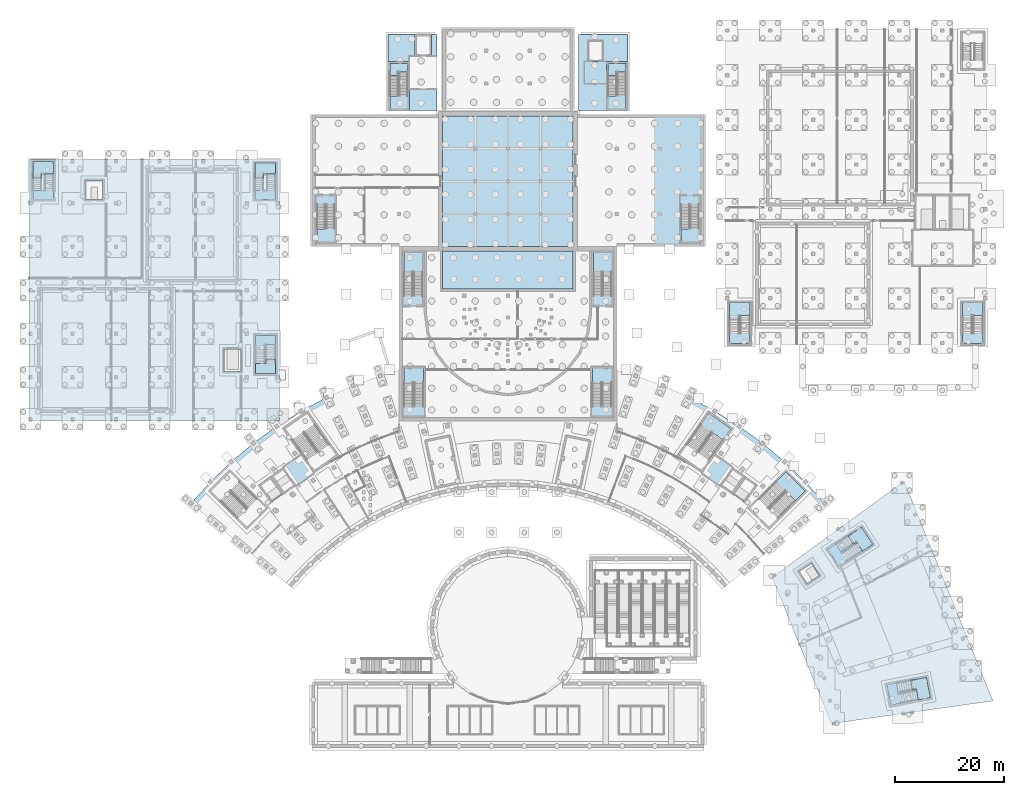
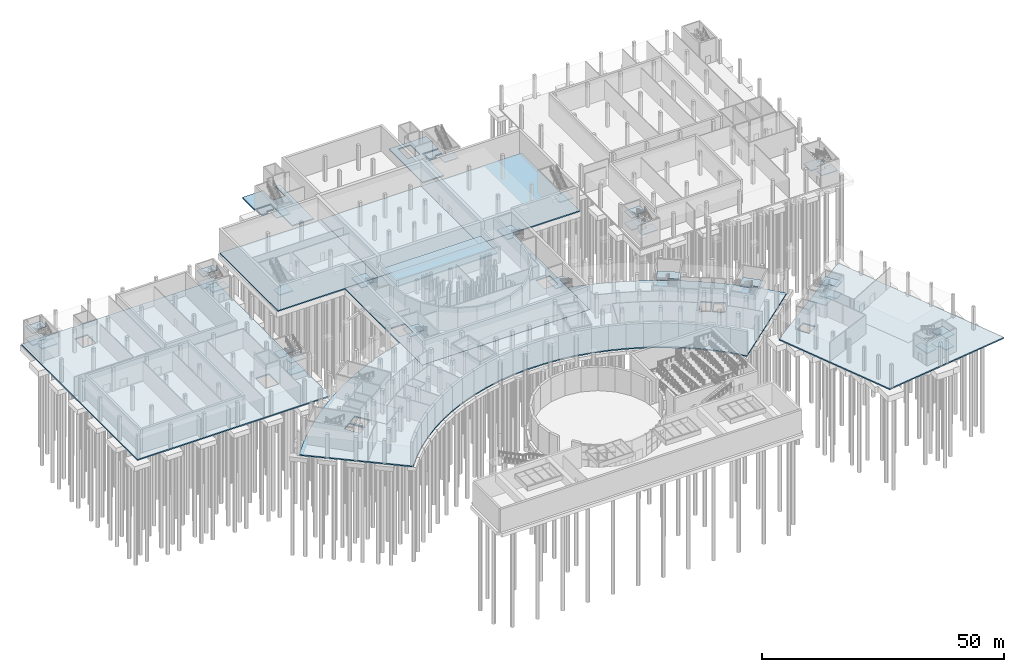
# One storey, part 17 of 66: 42 slabs, 17 elements without a shape of their own.
"""IFC4 building model written with IfcOpenShell, lengths in metres."""

from ifc_helpers import new_model, si_unit, direction, frame, origin, place, context, subcontext, project, spatial, polyline, outline, extrude, material, layer, layer_set, type_object, element, aggregate, save


model = new_model("IFC4")

# Units and contexts
model_context = context("Model", 3, precision=1e-05, world=origin(), true_north=direction((0.0, 1.0)))
body_context = subcontext(model_context, "Body", "Model", "MODEL_VIEW")
ifc_project = project(units=[si_unit("LENGTHUNIT", "METRE"), si_unit("AREAUNIT", "SQUARE_METRE"), si_unit("VOLUMEUNIT", "CUBIC_METRE"), si_unit("PLANEANGLEUNIT", "RADIAN"), si_unit("MASSUNIT", "GRAM", prefix="KILO")], contexts=[model_context])

# Site, building, storey
site_placement = place(None, origin())
site = spatial("IfcSite", under=ifc_project, at=site_placement, CompositionType="ELEMENT")
building_placement = place(site_placement, origin())
building = spatial("IfcBuilding", under=site, at=building_placement, Name="Lunette Opera House", CompositionType="ELEMENT")
storey_placement = place(building_placement, frame((0.0, 0.0, -6.0)))
storey = spatial("IfcBuildingStorey", under=building, at=storey_placement, Name="B1", CompositionType="ELEMENT", Elevation=-6.0)

# Slabs
ifc_material_1 = material(Name="Concrete C35/45", Category="concrete")
ifc_layer_1 = layer(ifc_material_1, 0.300048828125)
ifc_layer_set_1 = layer_set([ifc_layer_1], Name="Concrete C35/45")
slab_type_1 = type_object("IfcSlabType", Name="BASE SLAB 300", PredefinedType="BASESLAB", material=ifc_layer_set_1)
slab_1_placement = place(storey_placement, frame((0.0, 0.0, -0.300048828125)))
element("IfcSlab", 1, at=slab_1_placement, inside=storey, type_object=slab_type_1, Name="slab-FC-B1-B2", PredefinedType="BASESLAB", context=body_context, shape_type="SweptSolid", body=[
    extrude(outline(polyline([(128.013916015625, 40.97705078125), (130.794921875, 38.64404296875), (133.406005859375, 36.1220703125), (135.833984375, 33.425048828125), (145.027099609375, 41.137939453125), (154.218994140625, 48.85205078125), (150.669921875, 52.7939453125), (146.85400390625, 56.47900390625), (142.7900390625, 59.888916015625), (138.4990234375, 63.007080078125), (134.0, 65.818115234375), (129.31591796875, 68.30810546875), (124.469970703125, 70.466064453125), (119.485107421875, 72.280029296875), (116.0, 73.280029296875), (116.0, 64.0), (76.0, 64.0), (76.0, 73.280029296875), (72.514892578125, 72.280029296875), (67.530029296875, 70.466064453125), (62.68408203125, 68.30810546875), (58.0, 65.818115234375), (53.5009765625, 63.007080078125), (49.2099609375, 59.888916015625), (45.14599609375, 56.47900390625), (41.330078125, 52.7939453125), (37.781005859375, 48.85205078125), (46.972900390625, 41.137939453125), (56.166015625, 33.425048828125), (58.593994140625, 36.1220703125), (61.205078125, 38.64404296875), (63.986083984375, 40.97705078125), (66.922119140625, 43.110107421875), (70.0, 45.032958984375), (73.205078125, 46.737060546875), (76.52001953125, 48.214111328125), (79.930908203125, 49.455078125), (83.419921875, 50.455078125), (86.969970703125, 51.2099609375), (90.56494140625, 51.715087890625), (94.18505859375, 51.968017578125), (97.81494140625, 51.968017578125), (101.43505859375, 51.715087890625), (105.030029296875, 51.2099609375), (108.580078125, 50.455078125), (112.069091796875, 49.455078125), (115.47998046875, 48.214111328125), (118.794921875, 46.737060546875), (122.0, 45.032958984375), (125.077880859375, 43.110107421875), (128.013916015625, 40.97705078125)]), holes=[polyline([(52.52392578125, 49.27490234375), (50.51708984375, 52.14208984375), (52.402099609375, 53.4609375), (54.408935546875, 50.593994140625), (52.52392578125, 49.27490234375)]), polyline([(139.597900390625, 53.4609375), (141.48291015625, 52.14208984375), (139.47607421875, 49.27490234375), (137.591064453125, 50.593994140625), (139.597900390625, 53.4609375)]), polyline([(54.818115234375, 50.881103515625), (52.81103515625, 53.748046875), (54.695068359375, 55.06689453125), (56.702880859375, 52.199951171875), (54.818115234375, 50.881103515625)]), polyline([(137.304931640625, 55.06689453125), (139.18896484375, 53.748046875), (137.181884765625, 50.881103515625), (135.297119140625, 52.199951171875), (137.304931640625, 55.06689453125)])]), origin(), (0.0, 0.0, 1.0), 0.300048828125),
])
slab_2_placement = place(storey_placement, frame((0.0, 0.0, -0.300048828125)))
element("IfcSlab", 2, at=slab_2_placement, inside=storey, type_object=slab_type_1, Name="slab-AU-B1-B1", PredefinedType="BASESLAB", context=body_context, shape_type="SweptSolid", body=[
    extrude(outline(polyline([(76.0, 64.0), (116.0, 64.0), (116.0, 96.0), (76.0, 96.0), (76.0, 64.0)]), holes=[polyline([(80.35009765625, 75.25), (77.050048828125, 75.25), (77.050048828125, 78.75), (80.35009765625, 78.75), (80.35009765625, 75.25)]), polyline([(114.949951171875, 75.25), (111.64990234375, 75.25), (111.64990234375, 78.75), (114.949951171875, 78.75), (114.949951171875, 75.25)])]), origin(), (0.0, 0.0, 1.0), 0.300048828125),
])
slab_3_placement = place(storey_placement, frame((0.0, 0.0, -0.300048828125)))
element("IfcSlab", 3, at=slab_3_placement, inside=storey, type_object=slab_type_1, Name="slab-ST-B1-B1", PredefinedType="BASESLAB", context=body_context, shape_type="SweptSolid", body=[
    extrude(outline(polyline([(132.0, 120.0), (108.0, 120.0), (108.0, 96.0), (132.0, 96.0), (132.0, 120.0)])), origin(), (0.0, 0.0, 1.0), 0.300048828125),
])
slab_4_placement = place(storey_placement, frame((0.0, 0.0, -0.300048828125)))
element("IfcSlab", 4, at=slab_4_placement, inside=storey, type_object=slab_type_1, Name="slab-ST-B1-B2", PredefinedType="BASESLAB", context=body_context, shape_type="SweptSolid", body=[
    extrude(outline(polyline([(60.0, 96.0), (84.0, 96.0), (84.0, 120.0), (60.0, 120.0), (60.0, 96.0)])), origin(), (0.0, 0.0, 1.0), 0.300048828125),
])
slab_5_placement = place(storey_placement, frame((0.0, 0.0, -0.300048828125)))
element("IfcSlab", 5, at=slab_5_placement, inside=storey, type_object=slab_type_1, Name="slab-ST-B1-B3", PredefinedType="BASESLAB", context=body_context, shape_type="SweptSolid", body=[
    extrude(outline(polyline([(83.0, 121.0), (83.0, 135.0), (81.949951171875, 135.0), (81.949951171875, 131.0), (78.949951171875, 131.0), (78.949951171875, 135.0), (74.0, 135.0), (74.0, 130.0), (77.89990234375, 130.0), (77.89990234375, 121.0), (83.0, 121.0)])), origin(), (0.0, 0.0, 1.0), 0.300048828125),
])
slab_6_placement = place(storey_placement, frame((0.0, 0.0, -0.300048828125)))
element("IfcSlab", 6, at=slab_6_placement, inside=storey, type_object=slab_type_1, Name="slab-ST-B1-B4", PredefinedType="BASESLAB", context=body_context, shape_type="SweptSolid", body=[
    extrude(outline(polyline([(118.0, 130.0), (118.0, 135.0), (109.0, 135.0), (109.0, 121.0), (114.10009765625, 121.0), (114.10009765625, 130.0), (118.0, 130.0)]), holes=[polyline([(113.60009765625, 130.0), (110.60009765625, 130.0), (110.60009765625, 134.0), (113.60009765625, 134.0), (113.60009765625, 130.0)])]), origin(), (0.0, 0.0, 1.0), 0.300048828125),
])
slab_7_placement = place(storey_placement, frame((0.0, 0.0, -0.300048828125)))
element("IfcSlab", 7, at=slab_7_placement, inside=storey, type_object=slab_type_1, Name="slab-RW-B1-B1", PredefinedType="BASESLAB", context=body_context, shape_type="SweptSolid", body=[
    extrude(outline(polyline([(8.0, 64.0), (54.0, 64.0), (54.0, 112.0), (8.0, 112.0), (8.0, 64.0)]), holes=[polyline([(46.949951171875, 73.050048828125), (43.85009765625, 73.050048828125), (43.85009765625, 77.14990234375), (46.949951171875, 77.14990234375), (46.949951171875, 73.050048828125)]), polyline([(21.550048828125, 104.64990234375), (18.449951171875, 104.64990234375), (18.449951171875, 108.14990234375), (21.550048828125, 108.14990234375), (21.550048828125, 104.64990234375)])]), origin(), (0.0, 0.0, 1.0), 0.300048828125),
])
slab_8_placement = place(storey_placement, frame((0.0, 0.0, -0.300048828125)))
element("IfcSlab", 8, at=slab_8_placement, inside=storey, type_object=slab_type_1, Name="slab-SB-B1-B1", PredefinedType="BASESLAB", context=body_context, shape_type="SweptSolid", body=[
    extrude(outline(polyline([(185.1240234375, 12.52587890625), (168.81201171875, 52.90087890625), (144.541015625, 35.26708984375), (155.416015625, 8.35009765625), (185.1240234375, 12.52587890625)]), holes=[polyline([(150.9560546875, 34.0791015625), (149.485107421875, 36.343017578125), (151.7490234375, 37.81298828125), (153.219970703125, 35.549072265625), (150.9560546875, 34.0791015625)])]), origin(), (0.0, 0.0, 1.0), 0.300048828125),
])
ifc_material_2 = material(Name="Concrete C35/45", Category="concrete")
ifc_layer_2 = layer(ifc_material_2, 0.300048828125)
ifc_layer_set_2 = layer_set([ifc_layer_2], Name="Concrete C35/45")
slab_type_2 = type_object("IfcSlabType", Name="CORE LANDING SLAB 300", PredefinedType="LANDING", material=ifc_layer_set_2)
slab_9_placement = place(storey_placement, frame((0.0, 0.0, -0.300048828125)))
element("IfcSlab", 9, at=slab_9_placement, inside=storey, type_object=slab_type_2, Name="ST11 floor landing", PredefinedType="LANDING", context=body_context, shape_type="SweptSolid", body=[
    extrude(outline(polyline([(77.60009765625, 129.699951171875), (77.60009765625, 128.139892578125), (76.050048828125, 128.139892578125), (76.050048828125, 128.14990234375), (75.85009765625, 128.14990234375), (75.85009765625, 127.449951171875), (74.300048828125, 127.449951171875), (74.300048828125, 129.699951171875), (77.60009765625, 129.699951171875)])), origin(), (0.0, 0.0, 1.0), 0.300048828125),
])
slab_10_placement = place(storey_placement, frame((0.0, 0.0, -0.300048828125)))
element("IfcSlab", 10, at=slab_10_placement, inside=storey, type_object=slab_type_2, Name="ST12 floor landing", PredefinedType="LANDING", context=body_context, shape_type="SweptSolid", body=[
    extrude(outline(polyline([(117.699951171875, 128.139892578125), (116.14990234375, 128.139892578125), (116.14990234375, 128.14990234375), (115.949951171875, 128.14990234375), (115.949951171875, 127.449951171875), (114.39990234375, 127.449951171875), (114.39990234375, 129.699951171875), (117.699951171875, 129.699951171875), (117.699951171875, 128.139892578125)])), origin(), (0.0, 0.0, 1.0), 0.300048828125),
])
ifc_material_3 = material(Name="Concrete C35/45", Category="concrete")
ifc_layer_3 = layer(ifc_material_3, 0.300048828125)
ifc_layer_set_3 = layer_set([ifc_layer_3], Name="Concrete C35/45")
slab_type_3 = type_object("IfcSlabType", Name="FLOOR SLAB 300", PredefinedType="FLOOR", material=ifc_layer_set_3)
slab_11_placement = place(storey_placement, frame((0.0, 0.0, 2.199951171875)))
element("IfcSlab", 11, at=slab_11_placement, inside=storey, type_object=slab_type_3, Name="slab-AU-B1-PIT", PredefinedType="FLOOR", context=body_context, shape_type="SweptSolid", body=[
    extrude(outline(polyline([(108.0, 88.199951171875), (108.0, 95.199951171875), (84.0, 95.199951171875), (84.0, 88.199951171875), (108.0, 88.199951171875)])), origin(), (0.0, 0.0, 1.0), 0.300048828125),
])
slab_12_placement = place(storey_placement, frame((0.0, 0.0, -0.300048828125)))
element("IfcSlab", 12, at=slab_12_placement, inside=storey, type_object=slab_type_3, Name="slab-ST-B1-F1", PredefinedType="FLOOR", context=body_context, shape_type="SweptSolid", body=[
    extrude(outline(polyline([(108.0, 120.0), (84.0, 120.0), (84.0, 96.0), (108.0, 96.0), (108.0, 120.0)])), origin(), (0.0, 0.0, 1.0), 0.300048828125),
])

# Stair, slab
ifc_material_4 = material(Name="Concrete C35/45", Category="concrete")
stair_type_1 = type_object("IfcStairType", Name="DOGLEG STAIR 1620", PredefinedType="HALF_TURN_STAIR", material=ifc_material_4)
stair_1_placement = place(storey_placement, origin())
stair_1 = element("IfcStair", 13, at=stair_1_placement, inside=storey, type_object=stair_type_1, Name="B1 stair ST10", PredefinedType="HALF_TURN_STAIR")
ifc_material_5 = material(Name="Concrete C35/45", Category="concrete")
ifc_layer_4 = layer(ifc_material_5, 0.199951171875)
ifc_layer_set_4 = layer_set([ifc_layer_4], Name="Concrete C35/45")
slab_type_4 = type_object("IfcSlabType", Name="STAIR LANDING SLAB 200", PredefinedType="LANDING", material=ifc_layer_set_4)
slab_13_placement = place(storey_placement, frame((0.0, 0.0, 2.800048828125)))
slab_13 = element("IfcSlab", 14, at=slab_13_placement, type_object=slab_type_4, Name="ST10 landing 1", PredefinedType="LANDING", context=body_context, shape_type="SweptSolid", body=[
    extrude(outline(polyline([(80.300048828125, 91.389892578125), (78.679931640625, 91.389892578125), (78.679931640625, 91.39990234375), (78.52001953125, 91.39990234375), (78.52001953125, 90.699951171875), (76.89990234375, 90.699951171875), (76.89990234375, 94.89990234375), (80.300048828125, 94.89990234375), (80.300048828125, 91.389892578125)])), origin(), (0.0, 0.0, 1.0), 0.199951171875),
])
aggregate(stair_1, [slab_13])

ifc_material_6 = material(Name="Concrete C35/45", Category="concrete")
stair_type_2 = type_object("IfcStairType", Name="DOGLEG STAIR 1550", PredefinedType="HALF_TURN_STAIR", material=ifc_material_6)
stair_2_placement = place(storey_placement, origin())
stair_2 = element("IfcStair", 15, at=stair_2_placement, inside=storey, type_object=stair_type_2, Name="B1 stair ST11", PredefinedType="HALF_TURN_STAIR")
slab_14_placement = place(storey_placement, frame((0.0, 0.0, 2.800048828125)))
slab_14 = element("IfcSlab", 16, at=slab_14_placement, type_object=slab_type_4, Name="ST11 landing 1", PredefinedType="LANDING", context=body_context, shape_type="SweptSolid", body=[
    extrude(outline(polyline([(74.300048828125, 121.300048828125), (74.300048828125, 123.679931640625), (75.85009765625, 123.679931640625), (75.85009765625, 123.669921875), (76.050048828125, 123.669921875), (76.050048828125, 124.3701171875), (77.60009765625, 124.3701171875), (77.60009765625, 121.300048828125), (74.300048828125, 121.300048828125)])), origin(), (0.0, 0.0, 1.0), 0.199951171875),
])
aggregate(stair_2, [slab_14])

stair_3_placement = place(storey_placement, origin())
stair_3 = element("IfcStair", 17, at=stair_3_placement, inside=storey, type_object=stair_type_2, Name="B1 stair ST12", PredefinedType="HALF_TURN_STAIR")
slab_15_placement = place(storey_placement, frame((0.0, 0.0, 2.800048828125)))
slab_15 = element("IfcSlab", 18, at=slab_15_placement, type_object=slab_type_4, Name="ST12 landing 1", PredefinedType="LANDING", context=body_context, shape_type="SweptSolid", body=[
    extrude(outline(polyline([(114.39990234375, 121.300048828125), (114.39990234375, 123.679931640625), (115.949951171875, 123.679931640625), (115.949951171875, 123.669921875), (116.14990234375, 123.669921875), (116.14990234375, 124.3701171875), (117.699951171875, 124.3701171875), (117.699951171875, 121.300048828125), (114.39990234375, 121.300048828125)])), origin(), (0.0, 0.0, 1.0), 0.199951171875),
])
aggregate(stair_3, [slab_15])

stair_4_placement = place(storey_placement, origin())
stair_4 = element("IfcStair", 19, at=stair_4_placement, inside=storey, type_object=stair_type_2, Name="B1 stair ST13", PredefinedType="HALF_TURN_STAIR")
slab_16_placement = place(storey_placement, frame((0.0, 0.0, 2.800048828125)))
slab_16 = element("IfcSlab", 20, at=slab_16_placement, type_object=slab_type_4, Name="ST13 landing 1", PredefinedType="LANDING", context=body_context, shape_type="SweptSolid", body=[
    extrude(outline(polyline([(60.89990234375, 96.89990234375), (60.89990234375, 99.280029296875), (62.449951171875, 99.280029296875), (62.449951171875, 99.27001953125), (62.64990234375, 99.27001953125), (62.64990234375, 99.969970703125), (64.199951171875, 99.969970703125), (64.199951171875, 96.89990234375), (60.89990234375, 96.89990234375)])), origin(), (0.0, 0.0, 1.0), 0.199951171875),
])
aggregate(stair_4, [slab_16])

stair_5_placement = place(storey_placement, origin())
stair_5 = element("IfcStair", 21, at=stair_5_placement, inside=storey, type_object=stair_type_2, Name="B1 stair ST14", PredefinedType="HALF_TURN_STAIR")
slab_17_placement = place(storey_placement, frame((0.0, 0.0, 2.800048828125)))
slab_17 = element("IfcSlab", 22, at=slab_17_placement, type_object=slab_type_4, Name="ST14 landing 1", PredefinedType="LANDING", context=body_context, shape_type="SweptSolid", body=[
    extrude(outline(polyline([(127.800048828125, 96.89990234375), (127.800048828125, 99.280029296875), (129.35009765625, 99.280029296875), (129.35009765625, 99.27001953125), (129.550048828125, 99.27001953125), (129.550048828125, 99.969970703125), (131.10009765625, 99.969970703125), (131.10009765625, 96.89990234375), (127.800048828125, 96.89990234375)])), origin(), (0.0, 0.0, 1.0), 0.199951171875),
])
aggregate(stair_5, [slab_17])

# Stair, slabs
ifc_material_7 = material(Name="Concrete C35/45", Category="concrete")
stair_type_3 = type_object("IfcStairType", Name="DOGLEG STAIR 1600", PredefinedType="HALF_TURN_STAIR", material=ifc_material_7)
stair_6_placement = place(storey_placement, origin())
stair_6 = element("IfcStair", 23, at=stair_6_placement, inside=storey, type_object=stair_type_3, Name="B1 stair ST15", PredefinedType="HALF_TURN_STAIR")
slab_18_placement = place(storey_placement, frame((0.0, 0.0, 1.300048828125)))
slab_18 = element("IfcSlab", 24, at=slab_18_placement, type_object=slab_type_4, Name="ST15 landing 1", PredefinedType="LANDING", context=body_context, shape_type="SweptSolid", body=[
    extrude(outline(polyline([(12.5, 109.330078125), (10.89990234375, 109.330078125), (10.89990234375, 109.340087890625), (10.300048828125, 109.340087890625), (10.300048828125, 108.639892578125), (8.699951171875, 108.639892578125), (8.699951171875, 111.635009765625), (12.5, 111.635009765625), (12.5, 109.330078125)])), origin(), (0.0, 0.0, 1.0), 0.199951171875),
])
slab_19_placement = place(storey_placement, frame((0.0, 0.0, 2.800048828125)))
slab_19 = element("IfcSlab", 25, at=slab_19_placement, type_object=slab_type_4, Name="ST15 landing 2", PredefinedType="LANDING", context=body_context, shape_type="SweptSolid", body=[
    extrude(outline(polyline([(8.699951171875, 104.699951171875), (8.699951171875, 106.31005859375), (10.300048828125, 106.31005859375), (10.300048828125, 106.300048828125), (10.89990234375, 106.300048828125), (10.89990234375, 107.0), (12.5, 107.0), (12.5, 104.699951171875), (8.699951171875, 104.699951171875)])), origin(), (0.0, 0.0, 1.0), 0.199951171875),
])
slab_20_placement = place(storey_placement, frame((0.0, 0.0, 4.300048828125)))
slab_20 = element("IfcSlab", 26, at=slab_20_placement, type_object=slab_type_4, Name="ST15 landing 3", PredefinedType="LANDING", context=body_context, shape_type="SweptSolid", body=[
    extrude(outline(polyline([(12.5, 109.330078125), (10.89990234375, 109.330078125), (10.89990234375, 109.340087890625), (10.300048828125, 109.340087890625), (10.300048828125, 108.639892578125), (8.699951171875, 108.639892578125), (8.699951171875, 111.635009765625), (12.5, 111.635009765625), (12.5, 109.330078125)])), origin(), (0.0, 0.0, 1.0), 0.199951171875),
])
aggregate(stair_6, [slab_18, slab_19, slab_20])

ifc_material_8 = material(Name="Concrete C35/45", Category="concrete")
stair_type_4 = type_object("IfcStairType", Name="DOGLEG STAIR 1770", PredefinedType="HALF_TURN_STAIR", material=ifc_material_8)
stair_7_placement = place(storey_placement, origin())
stair_7 = element("IfcStair", 27, at=stair_7_placement, inside=storey, type_object=stair_type_4, Name="B1 stair ST16", PredefinedType="HALF_TURN_STAIR")
slab_21_placement = place(storey_placement, frame((0.0, 0.0, 1.300048828125)))
slab_21 = element("IfcSlab", 28, at=slab_21_placement, type_object=slab_type_4, Name="ST16 landing 1", PredefinedType="LANDING", context=body_context, shape_type="SweptSolid", body=[
    extrude(outline(polyline([(49.60009765625, 72.699951171875), (49.60009765625, 74.580078125), (51.3701171875, 74.580078125), (51.3701171875, 74.570068359375), (51.530029296875, 74.570068359375), (51.530029296875, 75.27001953125), (53.300048828125, 75.27001953125), (53.300048828125, 72.699951171875), (49.60009765625, 72.699951171875)])), origin(), (0.0, 0.0, 1.0), 0.199951171875),
])
slab_22_placement = place(storey_placement, frame((0.0, 0.0, 2.800048828125)))
slab_22 = element("IfcSlab", 29, at=slab_22_placement, type_object=slab_type_4, Name="ST16 landing 2", PredefinedType="LANDING", context=body_context, shape_type="SweptSolid", body=[
    extrude(outline(polyline([(53.300048828125, 77.919921875), (51.530029296875, 77.919921875), (51.530029296875, 77.929931640625), (51.3701171875, 77.929931640625), (51.3701171875, 77.22998046875), (49.60009765625, 77.22998046875), (49.60009765625, 79.699951171875), (53.300048828125, 79.699951171875), (53.300048828125, 77.919921875)])), origin(), (0.0, 0.0, 1.0), 0.199951171875),
])
slab_23_placement = place(storey_placement, frame((0.0, 0.0, 4.300048828125)))
slab_23 = element("IfcSlab", 30, at=slab_23_placement, type_object=slab_type_4, Name="ST16 landing 3", PredefinedType="LANDING", context=body_context, shape_type="SweptSolid", body=[
    extrude(outline(polyline([(49.60009765625, 72.699951171875), (49.60009765625, 74.580078125), (51.3701171875, 74.580078125), (51.3701171875, 74.570068359375), (51.530029296875, 74.570068359375), (51.530029296875, 75.27001953125), (53.300048828125, 75.27001953125), (53.300048828125, 72.699951171875), (49.60009765625, 72.699951171875)])), origin(), (0.0, 0.0, 1.0), 0.199951171875),
])
aggregate(stair_7, [slab_21, slab_22, slab_23])

stair_8_placement = place(storey_placement, origin())
stair_8 = element("IfcStair", 31, at=stair_8_placement, inside=storey, type_object=stair_type_3, Name="B1 stair ST17", PredefinedType="HALF_TURN_STAIR")
slab_24_placement = place(storey_placement, frame((0.0, 0.0, 1.300048828125)))
slab_24 = element("IfcSlab", 32, at=slab_24_placement, type_object=slab_type_4, Name="ST17 landing 1", PredefinedType="LANDING", context=body_context, shape_type="SweptSolid", body=[
    extrude(outline(polyline([(53.3349609375, 109.330078125), (51.735107421875, 109.330078125), (51.735107421875, 109.340087890625), (51.10009765625, 109.340087890625), (51.10009765625, 108.639892578125), (49.5, 108.639892578125), (49.5, 111.3349609375), (53.3349609375, 111.3349609375), (53.3349609375, 109.330078125)])), origin(), (0.0, 0.0, 1.0), 0.199951171875),
])
slab_25_placement = place(storey_placement, frame((0.0, 0.0, 2.800048828125)))
slab_25 = element("IfcSlab", 33, at=slab_25_placement, type_object=slab_type_4, Name="ST17 landing 2", PredefinedType="LANDING", context=body_context, shape_type="SweptSolid", body=[
    extrude(outline(polyline([(53.3349609375, 104.699951171875), (49.5, 104.699951171875), (49.5, 106.31005859375), (51.10009765625, 106.31005859375), (51.10009765625, 106.300048828125), (51.735107421875, 106.300048828125), (51.735107421875, 107.0), (53.3349609375, 107.0), (53.3349609375, 104.699951171875)])), origin(), (0.0, 0.0, 1.0), 0.199951171875),
])
slab_26_placement = place(storey_placement, frame((0.0, 0.0, 4.300048828125)))
slab_26 = element("IfcSlab", 34, at=slab_26_placement, type_object=slab_type_4, Name="ST17 landing 3", PredefinedType="LANDING", context=body_context, shape_type="SweptSolid", body=[
    extrude(outline(polyline([(53.3349609375, 109.330078125), (51.735107421875, 109.330078125), (51.735107421875, 109.340087890625), (51.10009765625, 109.340087890625), (51.10009765625, 108.639892578125), (49.5, 108.639892578125), (49.5, 111.3349609375), (53.3349609375, 111.3349609375), (53.3349609375, 109.330078125)])), origin(), (0.0, 0.0, 1.0), 0.199951171875),
])
aggregate(stair_8, [slab_24, slab_25, slab_26])

ifc_material_9 = material(Name="Concrete C35/45", Category="concrete")
stair_type_5 = type_object("IfcStairType", Name="DOGLEG STAIR 1800", PredefinedType="HALF_TURN_STAIR", material=ifc_material_9)
stair_9_placement = place(storey_placement, origin())
stair_9 = element("IfcStair", 35, at=stair_9_placement, inside=storey, type_object=stair_type_5, Name="B1 stair ST18", PredefinedType="HALF_TURN_STAIR")
slab_27_placement = place(storey_placement, frame((0.0, 0.0, 1.300048828125)))
slab_27 = element("IfcSlab", 36, at=slab_27_placement, type_object=slab_type_4, Name="ST18 landing 1", PredefinedType="LANDING", context=body_context, shape_type="SweptSolid", body=[
    extrude(outline(polyline([(140.5, 83.35009765625), (138.699951171875, 83.35009765625), (138.699951171875, 83.360107421875), (138.5, 83.360107421875), (138.5, 82.659912109375), (136.699951171875, 82.659912109375), (136.699951171875, 85.699951171875), (140.5, 85.699951171875), (140.5, 83.35009765625)])), origin(), (0.0, 0.0, 1.0), 0.199951171875),
])
slab_28_placement = place(storey_placement, frame((0.0, 0.0, 2.800048828125)))
slab_28 = element("IfcSlab", 37, at=slab_28_placement, type_object=slab_type_4, Name="ST18 landing 2", PredefinedType="LANDING", context=body_context, shape_type="SweptSolid", body=[
    extrude(outline(polyline([(136.699951171875, 78.199951171875), (136.699951171875, 80.010009765625), (138.5, 80.010009765625), (138.5, 80.0), (138.699951171875, 80.0), (138.699951171875, 80.699951171875), (140.5, 80.699951171875), (140.5, 78.199951171875), (136.699951171875, 78.199951171875)])), origin(), (0.0, 0.0, 1.0), 0.199951171875),
])
slab_29_placement = place(storey_placement, frame((0.0, 0.0, 4.300048828125)))
slab_29 = element("IfcSlab", 38, at=slab_29_placement, type_object=slab_type_4, Name="ST18 landing 3", PredefinedType="LANDING", context=body_context, shape_type="SweptSolid", body=[
    extrude(outline(polyline([(140.5, 83.35009765625), (138.699951171875, 83.35009765625), (138.699951171875, 83.360107421875), (138.5, 83.360107421875), (138.5, 82.659912109375), (136.699951171875, 82.659912109375), (136.699951171875, 85.699951171875), (140.5, 85.699951171875), (140.5, 83.35009765625)])), origin(), (0.0, 0.0, 1.0), 0.199951171875),
])
aggregate(stair_9, [slab_27, slab_28, slab_29])

stair_10_placement = place(storey_placement, origin())
stair_10 = element("IfcStair", 39, at=stair_10_placement, inside=storey, type_object=stair_type_5, Name="B1 stair ST20", PredefinedType="HALF_TURN_STAIR")
slab_30_placement = place(storey_placement, frame((0.0, 0.0, 1.300048828125)))
slab_30 = element("IfcSlab", 40, at=slab_30_placement, type_object=slab_type_4, Name="ST20 landing 1", PredefinedType="LANDING", context=body_context, shape_type="SweptSolid", body=[
    extrude(outline(polyline([(183.300048828125, 83.35009765625), (181.5, 83.35009765625), (181.5, 83.360107421875), (181.300048828125, 83.360107421875), (181.300048828125, 82.659912109375), (179.5, 82.659912109375), (179.5, 85.699951171875), (183.300048828125, 85.699951171875), (183.300048828125, 83.35009765625)])), origin(), (0.0, 0.0, 1.0), 0.199951171875),
])
slab_31_placement = place(storey_placement, frame((0.0, 0.0, 2.800048828125)))
slab_31 = element("IfcSlab", 41, at=slab_31_placement, type_object=slab_type_4, Name="ST20 landing 2", PredefinedType="LANDING", context=body_context, shape_type="SweptSolid", body=[
    extrude(outline(polyline([(179.5, 78.199951171875), (179.5, 80.010009765625), (181.300048828125, 80.010009765625), (181.300048828125, 80.0), (181.5, 80.0), (181.5, 80.699951171875), (183.300048828125, 80.699951171875), (183.300048828125, 78.199951171875), (179.5, 78.199951171875)])), origin(), (0.0, 0.0, 1.0), 0.199951171875),
])
aggregate(stair_10, [slab_30, slab_31])

stair_11_placement = place(storey_placement, origin())
stair_11 = element("IfcStair", 42, at=stair_11_placement, inside=storey, type_object=stair_type_5, Name="B1 stair ST21", PredefinedType="HALF_TURN_STAIR")
slab_32_placement = place(storey_placement, frame((0.0, 0.0, 1.300048828125)))
slab_32 = element("IfcSlab", 43, at=slab_32_placement, type_object=slab_type_4, Name="ST21 landing 1", PredefinedType="LANDING", context=body_context, shape_type="SweptSolid", body=[
    extrude(outline(polyline([(163.0390625, 41.27001953125), (161.15087890625, 40.0439453125), (160.169921875, 41.552978515625), (160.178955078125, 41.55908203125), (160.070068359375, 41.72705078125), (159.48291015625, 41.345947265625), (158.501953125, 42.85498046875), (160.968994140625, 44.45703125), (163.0390625, 41.27001953125)])), origin(), (0.0, 0.0, 1.0), 0.199951171875),
])
slab_33_placement = place(storey_placement, frame((0.0, 0.0, 2.800048828125)))
slab_33 = element("IfcSlab", 44, at=slab_33_placement, type_object=slab_type_4, Name="ST21 landing 2", PredefinedType="LANDING", context=body_context, shape_type="SweptSolid", body=[
    extrude(outline(polyline([(154.761962890625, 40.426025390625), (156.280029296875, 41.412109375), (157.260009765625, 39.902099609375), (157.251953125, 39.89697265625), (157.361083984375, 39.72900390625), (157.947998046875, 40.110107421875), (158.927978515625, 38.60009765625), (156.83203125, 37.239013671875), (154.761962890625, 40.426025390625)])), origin(), (0.0, 0.0, 1.0), 0.199951171875),
])
slab_34_placement = place(storey_placement, frame((0.0, 0.0, 4.300048828125)))
slab_34 = element("IfcSlab", 45, at=slab_34_placement, type_object=slab_type_4, Name="ST21 landing 3", PredefinedType="LANDING", context=body_context, shape_type="SweptSolid", body=[
    extrude(outline(polyline([(163.0390625, 41.27001953125), (161.15087890625, 40.0439453125), (160.169921875, 41.552978515625), (160.178955078125, 41.55908203125), (160.070068359375, 41.72705078125), (159.48291015625, 41.345947265625), (158.501953125, 42.85498046875), (160.968994140625, 44.45703125), (163.0390625, 41.27001953125)])), origin(), (0.0, 0.0, 1.0), 0.199951171875),
])
aggregate(stair_11, [slab_32, slab_33, slab_34])

stair_12_placement = place(storey_placement, origin())
stair_12 = element("IfcStair", 46, at=stair_12_placement, inside=storey, type_object=stair_type_5, Name="B1 stair ST22", PredefinedType="HALF_TURN_STAIR")
slab_35_placement = place(storey_placement, frame((0.0, 0.0, 1.300048828125)))
slab_35 = element("IfcSlab", 47, at=slab_35_placement, type_object=slab_type_4, Name="ST22 landing 1", PredefinedType="LANDING", context=body_context, shape_type="SweptSolid", body=[
    extrude(outline(polyline([(171.407958984375, 12.721923828125), (171.06396484375, 14.489013671875), (171.073974609375, 14.490966796875), (171.035888671875, 14.68701171875), (170.34912109375, 14.552978515625), (170.006103515625, 16.320068359375), (172.89208984375, 16.881103515625), (173.616943359375, 13.15087890625), (171.407958984375, 12.721923828125)])), origin(), (0.0, 0.0, 1.0), 0.199951171875),
])
slab_36_placement = place(storey_placement, frame((0.0, 0.0, 2.800048828125)))
slab_36 = element("IfcSlab", 48, at=slab_36_placement, type_object=slab_type_4, Name="ST22 landing 2", PredefinedType="LANDING", context=body_context, shape_type="SweptSolid", body=[
    extrude(outline(polyline([(166.35205078125, 11.739990234375), (165.626953125, 15.469970703125), (167.404052734375, 15.81494140625), (167.748046875, 14.048095703125), (167.738037109375, 14.0458984375), (167.77587890625, 13.85009765625), (168.462890625, 13.98388671875), (168.805908203125, 12.217041015625), (166.35205078125, 11.739990234375)])), origin(), (0.0, 0.0, 1.0), 0.199951171875),
])
slab_37_placement = place(storey_placement, frame((0.0, 0.0, 4.300048828125)))
slab_37 = element("IfcSlab", 49, at=slab_37_placement, type_object=slab_type_4, Name="ST22 landing 3", PredefinedType="LANDING", context=body_context, shape_type="SweptSolid", body=[
    extrude(outline(polyline([(171.407958984375, 12.721923828125), (171.06396484375, 14.489013671875), (171.073974609375, 14.490966796875), (171.035888671875, 14.68701171875), (170.34912109375, 14.552978515625), (170.006103515625, 16.320068359375), (172.89208984375, 16.881103515625), (173.616943359375, 13.15087890625), (171.407958984375, 12.721923828125)])), origin(), (0.0, 0.0, 1.0), 0.199951171875),
])
aggregate(stair_12, [slab_35, slab_36, slab_37])

# Stair, slab
ifc_material_10 = material(Name="Concrete C35/45", Category="concrete")
stair_type_6 = type_object("IfcStairType", Name="DOGLEG STAIR 2400", PredefinedType="HALF_TURN_STAIR", material=ifc_material_10)
stair_13_placement = place(storey_placement, origin())
stair_13 = element("IfcStair", 50, at=stair_13_placement, inside=storey, type_object=stair_type_6, Name="B1 stair ST3", PredefinedType="HALF_TURN_STAIR")
slab_38_placement = place(storey_placement, frame((0.0, 0.0, 2.800048828125)))
slab_38 = element("IfcSlab", 51, at=slab_38_placement, type_object=slab_type_4, Name="ST3 landing 1", PredefinedType="LANDING", context=body_context, shape_type="SweptSolid", body=[
    extrude(outline(polyline([(136.990966796875, 62.551025390625), (135.5400390625, 60.47802734375), (133.573974609375, 61.85498046875), (133.580078125, 61.863037109375), (133.4150390625, 61.97802734375), (133.013916015625, 61.405029296875), (131.048095703125, 62.781005859375), (132.89501953125, 65.4189453125), (136.990966796875, 62.551025390625)])), origin(), (0.0, 0.0, 1.0), 0.199951171875),
])
aggregate(stair_13, [slab_38])

stair_14_placement = place(storey_placement, origin())
stair_14 = element("IfcStair", 52, at=stair_14_placement, inside=storey, type_object=stair_type_6, Name="B1 stair ST4", PredefinedType="HALF_TURN_STAIR")
slab_39_placement = place(storey_placement, frame((0.0, 0.0, 2.800048828125)))
slab_39 = element("IfcSlab", 53, at=slab_39_placement, type_object=slab_type_4, Name="ST4 landing 1", PredefinedType="LANDING", context=body_context, shape_type="SweptSolid", body=[
    extrude(outline(polyline([(148.8349609375, 49.299072265625), (147.137939453125, 50.99609375), (147.14501953125, 51.0029296875), (147.0029296875, 51.14501953125), (146.508056640625, 50.64990234375), (144.81103515625, 52.346923828125), (147.087890625, 54.6240234375), (150.6240234375, 51.087890625), (148.8349609375, 49.299072265625)])), origin(), (0.0, 0.0, 1.0), 0.199951171875),
])
aggregate(stair_14, [slab_39])

ifc_material_11 = material(Name="Concrete C35/45", Category="concrete")
stair_type_7 = type_object("IfcStairType", Name="DOGLEG STAIR 1720", PredefinedType="HALF_TURN_STAIR", material=ifc_material_11)
stair_15_placement = place(storey_placement, origin())
stair_15 = element("IfcStair", 54, at=stair_15_placement, inside=storey, type_object=stair_type_7, Name="B1 stair ST7", PredefinedType="HALF_TURN_STAIR")
slab_40_placement = place(storey_placement, frame((0.0, 0.0, 2.800048828125)))
slab_40 = element("IfcSlab", 55, at=slab_40_placement, type_object=slab_type_4, Name="ST7 landing 1", PredefinedType="LANDING", context=body_context, shape_type="SweptSolid", body=[
    extrude(outline(polyline([(80.5, 71.090087890625), (78.780029296875, 71.090087890625), (78.780029296875, 71.10009765625), (78.6201171875, 71.10009765625), (78.6201171875, 70.39990234375), (76.89990234375, 70.39990234375), (76.89990234375, 73.699951171875), (80.5, 73.699951171875), (80.5, 71.090087890625)])), origin(), (0.0, 0.0, 1.0), 0.199951171875),
])
aggregate(stair_15, [slab_40])

stair_16_placement = place(storey_placement, origin())
stair_16 = element("IfcStair", 56, at=stair_16_placement, inside=storey, type_object=stair_type_7, Name="B1 stair ST8", PredefinedType="HALF_TURN_STAIR")
slab_41_placement = place(storey_placement, frame((0.0, 0.0, 2.800048828125)))
slab_41 = element("IfcSlab", 57, at=slab_41_placement, type_object=slab_type_4, Name="ST8 landing 1", PredefinedType="LANDING", context=body_context, shape_type="SweptSolid", body=[
    extrude(outline(polyline([(115.10009765625, 71.090087890625), (113.3798828125, 71.090087890625), (113.3798828125, 71.10009765625), (113.219970703125, 71.10009765625), (113.219970703125, 70.39990234375), (111.5, 70.39990234375), (111.5, 73.699951171875), (115.10009765625, 73.699951171875), (115.10009765625, 71.090087890625)])), origin(), (0.0, 0.0, 1.0), 0.199951171875),
])
aggregate(stair_16, [slab_41])

stair_17_placement = place(storey_placement, origin())
stair_17 = element("IfcStair", 58, at=stair_17_placement, inside=storey, type_object=stair_type_1, Name="B1 stair ST9", PredefinedType="HALF_TURN_STAIR")
slab_42_placement = place(storey_placement, frame((0.0, 0.0, 2.800048828125)))
slab_42 = element("IfcSlab", 59, at=slab_42_placement, type_object=slab_type_4, Name="ST9 landing 1", PredefinedType="LANDING", context=body_context, shape_type="SweptSolid", body=[
    extrude(outline(polyline([(115.10009765625, 94.89990234375), (115.10009765625, 91.389892578125), (113.47998046875, 91.389892578125), (113.47998046875, 91.39990234375), (113.320068359375, 91.39990234375), (113.320068359375, 90.699951171875), (111.699951171875, 90.699951171875), (111.699951171875, 94.89990234375), (115.10009765625, 94.89990234375)])), origin(), (0.0, 0.0, 1.0), 0.199951171875),
])
aggregate(stair_17, [slab_42])

save(model, "model.ifc")
